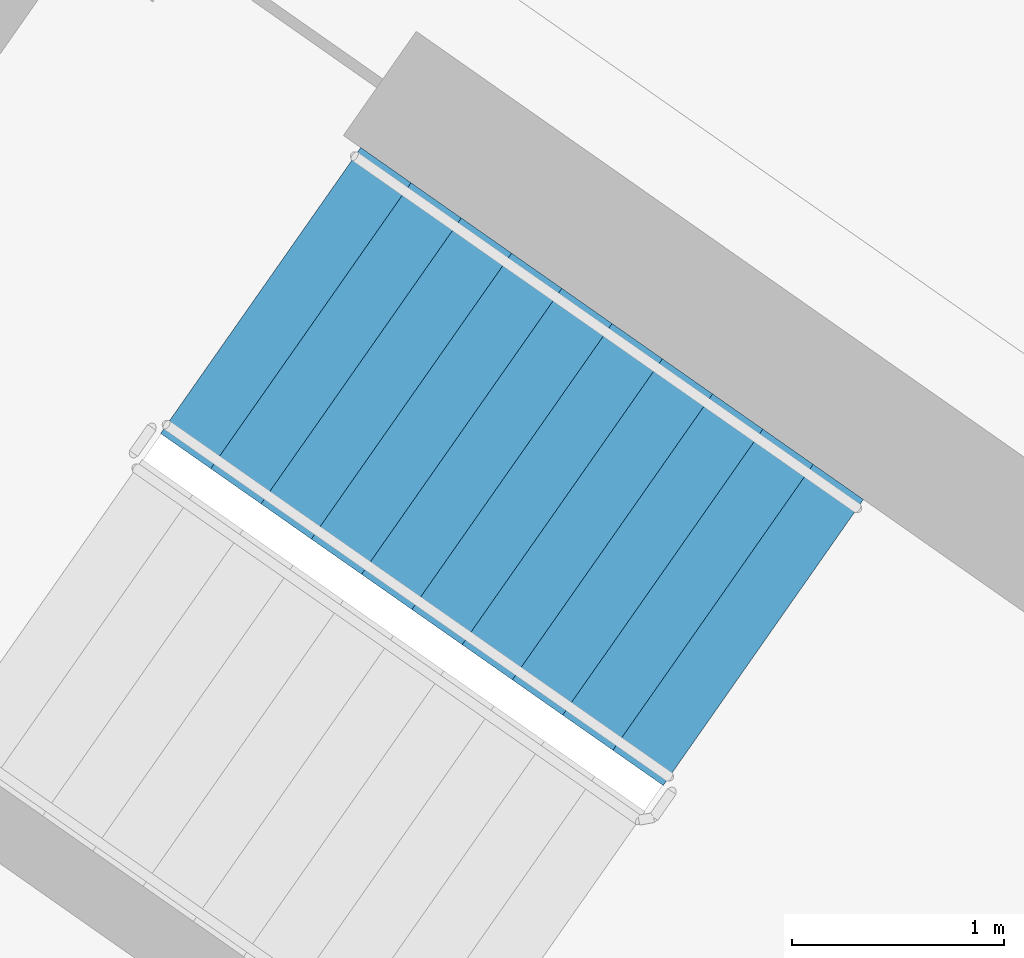
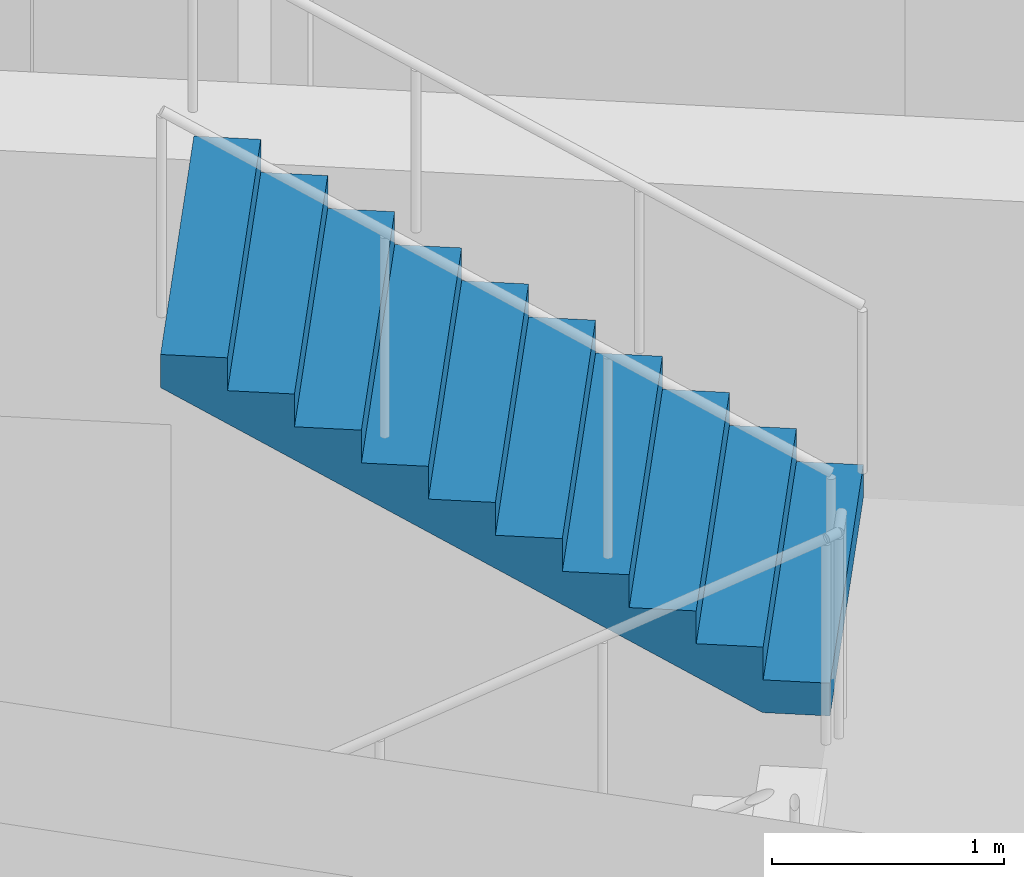
# One storey, part 13 of 28: 1 stair flight, 1 element without a shape of its own.
"""IFC4 building model written with IfcOpenShell, lengths in metres."""

from ifc_helpers import new_model, si_unit, direction, frame, origin, place, context, subcontext, project, spatial, faceted_brep, material, type_object, element, aggregate, save


model = new_model("IFC4")

# Units and contexts
model_context = context("Model", 3, precision=1e-05, world=origin(), true_north=direction((0.0, 1.0)))
body_context = subcontext(model_context, "Body", "Model", "MODEL_VIEW")
ifc_project = project(units=[si_unit("LENGTHUNIT", "METRE"), si_unit("AREAUNIT", "SQUARE_METRE"), si_unit("VOLUMEUNIT", "CUBIC_METRE"), si_unit("PLANEANGLEUNIT", "RADIAN"), si_unit("MASSUNIT", "GRAM", prefix="KILO")], contexts=[model_context])

# Site, building, storey
site_placement = place(None, origin())
site = spatial("IfcSite", under=ifc_project, at=site_placement, CompositionType="ELEMENT")
building_placement = place(site_placement, origin())
building = spatial("IfcBuilding", under=site, at=building_placement, Name="Qamariyya Broadcast Tower", CompositionType="ELEMENT")
storey_placement = place(building_placement, frame((0.0, 0.0, 273.300048828125)))
storey = spatial("IfcBuildingStorey", under=building, at=storey_placement, Name="L66", CompositionType="ELEMENT", Elevation=273.300048828125)

# Stair, stair flight
ifc_material = material(Name="Concrete C50/60", Category="concrete")
stair_type = type_object("IfcStairType", Name="Exit stair 22 risers of 173 mm", PredefinedType="HALF_TURN_STAIR", material=ifc_material)
stair_placement = place(storey_placement, origin())
stair = element("IfcStair", 1, at=stair_placement, inside=storey, type_object=stair_type, Name="L66 Stair W2", PredefinedType="HALF_TURN_STAIR")
stair_flight_type = type_object("IfcStairFlightType", Name="Exit stair flight 11 risers of 173 mm", PredefinedType="STRAIGHT", material=ifc_material)
stair_flight_placement = place(storey_placement, frame((-38.18310546875, -49.3486328125, 1.89990234375), z_axis=(0.0, 0.0, 1.0), x_axis=(-0.819152044289, 0.573576436351, 0.0)))
stair_flight = element("IfcStairFlight", 2, at=stair_flight_placement, type_object=stair_flight_type, Name="ST-W2 flight 2", NumberOfRisers=11, NumberOfTreads=10, PredefinedType="STRAIGHT", RiserHeight=0.172727273, TreadLength=0.29, context=body_context, shape_type="Brep", body=[
    faceted_brep([(0.0, 0.824951171875, 0.0), (0.0, 0.824951171875, 0.172607421875), (0.2900390625, 0.824951171875, 0.172607421875), (0.2900390625, 0.824951171875, 0.345458984375), (0.580078125, 0.824951171875, 0.345458984375), (0.580078125, 0.824951171875, 0.51806640625), (0.8701171875, 0.824951171875, 0.51806640625), (0.8701171875, 0.824951171875, 0.69091796875), (1.159912109375, 0.824951171875, 0.69091796875), (1.159912109375, 0.824951171875, 0.863525390625), (1.449951171875, 0.824951171875, 0.863525390625), (1.449951171875, 0.824951171875, 1.036376953125), (1.739990234375, 0.824951171875, 1.036376953125), (1.739990234375, 0.824951171875, 1.208984375), (2.030029296875, 0.824951171875, 1.208984375), (2.030029296875, 0.824951171875, 1.3818359375), (2.320068359375, 0.824951171875, 1.3818359375), (2.320068359375, 0.824951171875, 1.554443359375), (2.610107421875, 0.824951171875, 1.554443359375), (2.610107421875, 0.824951171875, 1.727294921875), (2.89990234375, 0.824951171875, 1.727294921875), (2.89990234375, 0.824951171875, 1.552734375), (0.29296875, 0.824951171875, 0.0), (0.29296875, -0.824951171875, 0.0), (2.89990234375, -0.824951171875, 1.552734375), (2.89990234375, -0.824951171875, 1.727294921875), (2.610107421875, -0.824951171875, 1.727294921875), (2.610107421875, -0.824951171875, 1.554443359375), (2.320068359375, -0.824951171875, 1.554443359375), (2.320068359375, -0.824951171875, 1.3818359375), (2.030029296875, -0.824951171875, 1.3818359375), (2.030029296875, -0.824951171875, 1.208984375), (1.739990234375, -0.824951171875, 1.208984375), (1.739990234375, -0.824951171875, 1.036376953125), (1.449951171875, -0.824951171875, 1.036376953125), (1.449951171875, -0.824951171875, 0.863525390625), (1.159912109375, -0.824951171875, 0.863525390625), (1.159912109375, -0.824951171875, 0.69091796875), (0.8701171875, -0.824951171875, 0.69091796875), (0.8701171875, -0.824951171875, 0.51806640625), (0.580078125, -0.824951171875, 0.51806640625), (0.580078125, -0.824951171875, 0.345458984375), (0.2900390625, -0.824951171875, 0.345458984375), (0.2900390625, -0.824951171875, 0.172607421875), (0.0, -0.824951171875, 0.172607421875), (0.0, -0.824951171875, 0.0), (0.0, 0.10009765625, 0.0), (0.0, 0.086669921875, 0.0), (0.0, 0.0732421875, 0.0), (0.0, 0.06005859375, 0.0), (0.0, 0.046630859375, 0.0), (0.0, 0.033447265625, 0.0), (0.0, 0.02001953125, 0.0), (0.0, 0.006591796875, 0.0), (0.0, -0.006591796875, 0.0), (0.0, -0.02001953125, 0.0), (0.0, -0.033447265625, 0.0), (0.0, -0.046630859375, 0.0), (0.0, -0.06005859375, 0.0), (0.0, -0.0732421875, 0.0), (0.0, -0.086669921875, 0.0), (0.0, -0.10009765625, 0.0), (0.0, -0.10009765625, 0.172607421875), (0.0, -0.086669921875, 0.172607421875), (0.0, -0.0732421875, 0.172607421875), (0.0, -0.06005859375, 0.172607421875), (0.0, -0.046630859375, 0.172607421875), (0.0, -0.033447265625, 0.172607421875), (0.0, -0.02001953125, 0.172607421875), (0.0, -0.006591796875, 0.172607421875), (0.0, 0.006591796875, 0.172607421875), (0.0, 0.02001953125, 0.172607421875), (0.0, 0.033447265625, 0.172607421875), (0.0, 0.046630859375, 0.172607421875), (0.0, 0.06005859375, 0.172607421875), (0.0, 0.0732421875, 0.172607421875), (0.0, 0.086669921875, 0.172607421875), (0.0, 0.10009765625, 0.172607421875), (0.2900390625, -0.10009765625, 0.172607421875), (0.2900390625, -0.086669921875, 0.172607421875), (0.2900390625, -0.0732421875, 0.172607421875), (0.2900390625, -0.06005859375, 0.172607421875), (0.2900390625, -0.046630859375, 0.172607421875), (0.2900390625, -0.033447265625, 0.172607421875), (0.2900390625, -0.02001953125, 0.172607421875), (0.2900390625, -0.006591796875, 0.172607421875), (0.2900390625, 0.006591796875, 0.172607421875), (0.2900390625, 0.02001953125, 0.172607421875), (0.2900390625, 0.033447265625, 0.172607421875), (0.2900390625, 0.046630859375, 0.172607421875), (0.2900390625, 0.06005859375, 0.172607421875), (0.2900390625, 0.0732421875, 0.172607421875), (0.2900390625, 0.086669921875, 0.172607421875), (0.2900390625, 0.10009765625, 0.172607421875), (0.2900390625, -0.10009765625, 0.345458984375), (0.2900390625, -0.086669921875, 0.345458984375), (0.2900390625, -0.0732421875, 0.345458984375), (0.2900390625, -0.06005859375, 0.345458984375), (0.2900390625, -0.046630859375, 0.345458984375), (0.2900390625, -0.033447265625, 0.345458984375), (0.2900390625, -0.02001953125, 0.345458984375), (0.2900390625, -0.006591796875, 0.345458984375), (0.2900390625, 0.006591796875, 0.345458984375), (0.2900390625, 0.02001953125, 0.345458984375), (0.2900390625, 0.033447265625, 0.345458984375), (0.2900390625, 0.046630859375, 0.345458984375), (0.2900390625, 0.06005859375, 0.345458984375), (0.2900390625, 0.0732421875, 0.345458984375), (0.2900390625, 0.086669921875, 0.345458984375), (0.2900390625, 0.10009765625, 0.345458984375), (0.580078125, -0.10009765625, 0.345458984375), (0.580078125, -0.086669921875, 0.345458984375), (0.580078125, -0.0732421875, 0.345458984375), (0.580078125, -0.06005859375, 0.345458984375), (0.580078125, -0.046630859375, 0.345458984375), (0.580078125, -0.033447265625, 0.345458984375), (0.580078125, -0.02001953125, 0.345458984375), (0.580078125, -0.006591796875, 0.345458984375), (0.580078125, 0.006591796875, 0.345458984375), (0.580078125, 0.02001953125, 0.345458984375), (0.580078125, 0.033447265625, 0.345458984375), (0.580078125, 0.046630859375, 0.345458984375), (0.580078125, 0.06005859375, 0.345458984375), (0.580078125, 0.0732421875, 0.345458984375), (0.580078125, 0.086669921875, 0.345458984375), (0.580078125, 0.10009765625, 0.345458984375), (0.580078125, -0.10009765625, 0.51806640625), (0.580078125, -0.086669921875, 0.51806640625), (0.580078125, -0.0732421875, 0.51806640625), (0.580078125, -0.06005859375, 0.51806640625), (0.580078125, -0.046630859375, 0.51806640625), (0.580078125, -0.033447265625, 0.51806640625), (0.580078125, -0.02001953125, 0.51806640625), (0.580078125, -0.006591796875, 0.51806640625), (0.580078125, 0.006591796875, 0.51806640625), (0.580078125, 0.02001953125, 0.51806640625), (0.580078125, 0.033447265625, 0.51806640625), (0.580078125, 0.046630859375, 0.51806640625), (0.580078125, 0.06005859375, 0.51806640625), (0.580078125, 0.0732421875, 0.51806640625), (0.580078125, 0.086669921875, 0.51806640625), (0.580078125, 0.10009765625, 0.51806640625), (0.8701171875, -0.10009765625, 0.51806640625), (0.8701171875, -0.086669921875, 0.51806640625), (0.8701171875, -0.0732421875, 0.51806640625), (0.8701171875, -0.06005859375, 0.51806640625), (0.8701171875, -0.046630859375, 0.51806640625), (0.8701171875, -0.033447265625, 0.51806640625), (0.8701171875, -0.02001953125, 0.51806640625), (0.8701171875, -0.006591796875, 0.51806640625), (0.8701171875, 0.006591796875, 0.51806640625), (0.8701171875, 0.02001953125, 0.51806640625), (0.8701171875, 0.033447265625, 0.51806640625), (0.8701171875, 0.046630859375, 0.51806640625), (0.8701171875, 0.06005859375, 0.51806640625), (0.8701171875, 0.0732421875, 0.51806640625), (0.8701171875, 0.086669921875, 0.51806640625), (0.8701171875, 0.10009765625, 0.51806640625), (0.8701171875, -0.10009765625, 0.69091796875), (0.8701171875, -0.086669921875, 0.69091796875), (0.8701171875, -0.0732421875, 0.69091796875), (0.8701171875, -0.06005859375, 0.69091796875), (0.8701171875, -0.046630859375, 0.69091796875), (0.8701171875, -0.033447265625, 0.69091796875), (0.8701171875, -0.02001953125, 0.69091796875), (0.8701171875, -0.006591796875, 0.69091796875), (0.8701171875, 0.006591796875, 0.69091796875), (0.8701171875, 0.02001953125, 0.69091796875), (0.8701171875, 0.033447265625, 0.69091796875), (0.8701171875, 0.046630859375, 0.69091796875), (0.8701171875, 0.06005859375, 0.69091796875), (0.8701171875, 0.0732421875, 0.69091796875), (0.8701171875, 0.086669921875, 0.69091796875), (0.8701171875, 0.10009765625, 0.69091796875), (1.159912109375, -0.10009765625, 0.69091796875), (1.159912109375, -0.086669921875, 0.69091796875), (1.159912109375, -0.0732421875, 0.69091796875), (1.159912109375, -0.06005859375, 0.69091796875), (1.159912109375, -0.046630859375, 0.69091796875), (1.159912109375, -0.033447265625, 0.69091796875), (1.159912109375, -0.02001953125, 0.69091796875), (1.159912109375, -0.006591796875, 0.69091796875), (1.159912109375, 0.006591796875, 0.69091796875), (1.159912109375, 0.02001953125, 0.69091796875), (1.159912109375, 0.033447265625, 0.69091796875), (1.159912109375, 0.046630859375, 0.69091796875), (1.159912109375, 0.06005859375, 0.69091796875), (1.159912109375, 0.0732421875, 0.69091796875), (1.159912109375, 0.086669921875, 0.69091796875), (1.159912109375, 0.10009765625, 0.69091796875), (1.159912109375, -0.10009765625, 0.863525390625), (1.159912109375, -0.086669921875, 0.863525390625), (1.159912109375, -0.0732421875, 0.863525390625), (1.159912109375, -0.06005859375, 0.863525390625), (1.159912109375, -0.046630859375, 0.863525390625), (1.159912109375, -0.033447265625, 0.863525390625), (1.159912109375, -0.02001953125, 0.863525390625), (1.159912109375, -0.006591796875, 0.863525390625), (1.159912109375, 0.006591796875, 0.863525390625), (1.159912109375, 0.02001953125, 0.863525390625), (1.159912109375, 0.033447265625, 0.863525390625), (1.159912109375, 0.046630859375, 0.863525390625), (1.159912109375, 0.06005859375, 0.863525390625), (1.159912109375, 0.0732421875, 0.863525390625), (1.159912109375, 0.086669921875, 0.863525390625), (1.159912109375, 0.10009765625, 0.863525390625), (1.449951171875, -0.10009765625, 0.863525390625), (1.449951171875, -0.086669921875, 0.863525390625), (1.449951171875, -0.0732421875, 0.863525390625), (1.449951171875, -0.06005859375, 0.863525390625), (1.449951171875, -0.046630859375, 0.863525390625), (1.449951171875, -0.033447265625, 0.863525390625), (1.449951171875, -0.02001953125, 0.863525390625), (1.449951171875, -0.006591796875, 0.863525390625), (1.449951171875, 0.006591796875, 0.863525390625), (1.449951171875, 0.02001953125, 0.863525390625), (1.449951171875, 0.033447265625, 0.863525390625), (1.449951171875, 0.046630859375, 0.863525390625), (1.449951171875, 0.06005859375, 0.863525390625), (1.449951171875, 0.0732421875, 0.863525390625), (1.449951171875, 0.086669921875, 0.863525390625), (1.449951171875, 0.10009765625, 0.863525390625), (1.449951171875, -0.10009765625, 1.036376953125), (1.449951171875, -0.086669921875, 1.036376953125), (1.449951171875, -0.0732421875, 1.036376953125), (1.449951171875, -0.06005859375, 1.036376953125), (1.449951171875, -0.046630859375, 1.036376953125), (1.449951171875, -0.033447265625, 1.036376953125), (1.449951171875, -0.02001953125, 1.036376953125), (1.449951171875, -0.006591796875, 1.036376953125), (1.449951171875, 0.006591796875, 1.036376953125), (1.449951171875, 0.02001953125, 1.036376953125), (1.449951171875, 0.033447265625, 1.036376953125), (1.449951171875, 0.046630859375, 1.036376953125), (1.449951171875, 0.06005859375, 1.036376953125), (1.449951171875, 0.0732421875, 1.036376953125), (1.449951171875, 0.086669921875, 1.036376953125), (1.449951171875, 0.10009765625, 1.036376953125), (1.739990234375, -0.10009765625, 1.036376953125), (1.739990234375, -0.086669921875, 1.036376953125), (1.739990234375, -0.0732421875, 1.036376953125), (1.739990234375, -0.06005859375, 1.036376953125), (1.739990234375, -0.046630859375, 1.036376953125), (1.739990234375, -0.033447265625, 1.036376953125), (1.739990234375, -0.02001953125, 1.036376953125), (1.739990234375, -0.006591796875, 1.036376953125), (1.739990234375, 0.006591796875, 1.036376953125), (1.739990234375, 0.02001953125, 1.036376953125), (1.739990234375, 0.033447265625, 1.036376953125), (1.739990234375, 0.046630859375, 1.036376953125), (1.739990234375, 0.06005859375, 1.036376953125), (1.739990234375, 0.0732421875, 1.036376953125), (1.739990234375, 0.086669921875, 1.036376953125), (1.739990234375, 0.10009765625, 1.036376953125), (1.739990234375, -0.10009765625, 1.208984375), (1.739990234375, -0.086669921875, 1.208984375), (1.739990234375, -0.0732421875, 1.208984375), (1.739990234375, -0.06005859375, 1.208984375), (1.739990234375, -0.046630859375, 1.208984375), (1.739990234375, -0.033447265625, 1.208984375), (1.739990234375, -0.02001953125, 1.208984375), (1.739990234375, -0.006591796875, 1.208984375), (1.739990234375, 0.006591796875, 1.208984375), (1.739990234375, 0.02001953125, 1.208984375), (1.739990234375, 0.033447265625, 1.208984375), (1.739990234375, 0.046630859375, 1.208984375), (1.739990234375, 0.06005859375, 1.208984375), (1.739990234375, 0.0732421875, 1.208984375), (1.739990234375, 0.086669921875, 1.208984375), (1.739990234375, 0.10009765625, 1.208984375), (2.030029296875, -0.10009765625, 1.208984375), (2.030029296875, -0.086669921875, 1.208984375), (2.030029296875, -0.0732421875, 1.208984375), (2.030029296875, -0.06005859375, 1.208984375), (2.030029296875, -0.046630859375, 1.208984375), (2.030029296875, -0.033447265625, 1.208984375), (2.030029296875, -0.02001953125, 1.208984375), (2.030029296875, -0.006591796875, 1.208984375), (2.030029296875, 0.006591796875, 1.208984375), (2.030029296875, 0.02001953125, 1.208984375), (2.030029296875, 0.033447265625, 1.208984375), (2.030029296875, 0.046630859375, 1.208984375), (2.030029296875, 0.06005859375, 1.208984375), (2.030029296875, 0.0732421875, 1.208984375), (2.030029296875, 0.086669921875, 1.208984375), (2.030029296875, 0.10009765625, 1.208984375), (2.030029296875, -0.10009765625, 1.3818359375), (2.030029296875, -0.086669921875, 1.3818359375), (2.030029296875, -0.0732421875, 1.3818359375), (2.030029296875, -0.06005859375, 1.3818359375), (2.030029296875, -0.046630859375, 1.3818359375), (2.030029296875, -0.033447265625, 1.3818359375), (2.030029296875, -0.02001953125, 1.3818359375), (2.030029296875, -0.006591796875, 1.3818359375), (2.030029296875, 0.006591796875, 1.3818359375), (2.030029296875, 0.02001953125, 1.3818359375), (2.030029296875, 0.033447265625, 1.3818359375), (2.030029296875, 0.046630859375, 1.3818359375), (2.030029296875, 0.06005859375, 1.3818359375), (2.030029296875, 0.0732421875, 1.3818359375), (2.030029296875, 0.086669921875, 1.3818359375), (2.030029296875, 0.10009765625, 1.3818359375), (2.320068359375, -0.10009765625, 1.3818359375), (2.320068359375, -0.086669921875, 1.3818359375), (2.320068359375, -0.0732421875, 1.3818359375), (2.320068359375, -0.06005859375, 1.3818359375), (2.320068359375, -0.046630859375, 1.3818359375), (2.320068359375, -0.033447265625, 1.3818359375), (2.320068359375, -0.02001953125, 1.3818359375), (2.320068359375, -0.006591796875, 1.3818359375), (2.320068359375, 0.006591796875, 1.3818359375), (2.320068359375, 0.02001953125, 1.3818359375), (2.320068359375, 0.033447265625, 1.3818359375), (2.320068359375, 0.046630859375, 1.3818359375), (2.320068359375, 0.06005859375, 1.3818359375), (2.320068359375, 0.0732421875, 1.3818359375), (2.320068359375, 0.086669921875, 1.3818359375), (2.320068359375, 0.10009765625, 1.3818359375), (2.320068359375, -0.10009765625, 1.554443359375), (2.320068359375, -0.086669921875, 1.554443359375), (2.320068359375, -0.0732421875, 1.554443359375), (2.320068359375, -0.06005859375, 1.554443359375), (2.320068359375, -0.046630859375, 1.554443359375), (2.320068359375, -0.033447265625, 1.554443359375), (2.320068359375, -0.02001953125, 1.554443359375), (2.320068359375, -0.006591796875, 1.554443359375), (2.320068359375, 0.006591796875, 1.554443359375), (2.320068359375, 0.02001953125, 1.554443359375), (2.320068359375, 0.033447265625, 1.554443359375), (2.320068359375, 0.046630859375, 1.554443359375), (2.320068359375, 0.06005859375, 1.554443359375), (2.320068359375, 0.0732421875, 1.554443359375), (2.320068359375, 0.086669921875, 1.554443359375), (2.320068359375, 0.10009765625, 1.554443359375), (2.610107421875, -0.10009765625, 1.554443359375), (2.610107421875, -0.086669921875, 1.554443359375), (2.610107421875, -0.0732421875, 1.554443359375), (2.610107421875, -0.06005859375, 1.554443359375), (2.610107421875, -0.046630859375, 1.554443359375), (2.610107421875, -0.033447265625, 1.554443359375), (2.610107421875, -0.02001953125, 1.554443359375), (2.610107421875, -0.006591796875, 1.554443359375), (2.610107421875, 0.006591796875, 1.554443359375), (2.610107421875, 0.02001953125, 1.554443359375), (2.610107421875, 0.033447265625, 1.554443359375), (2.610107421875, 0.046630859375, 1.554443359375), (2.610107421875, 0.06005859375, 1.554443359375), (2.610107421875, 0.0732421875, 1.554443359375), (2.610107421875, 0.086669921875, 1.554443359375), (2.610107421875, 0.10009765625, 1.554443359375), (2.610107421875, -0.10009765625, 1.727294921875), (2.610107421875, -0.086669921875, 1.727294921875), (2.610107421875, -0.0732421875, 1.727294921875), (2.610107421875, -0.06005859375, 1.727294921875), (2.610107421875, -0.046630859375, 1.727294921875), (2.610107421875, -0.033447265625, 1.727294921875), (2.610107421875, -0.02001953125, 1.727294921875), (2.610107421875, -0.006591796875, 1.727294921875), (2.610107421875, 0.006591796875, 1.727294921875), (2.610107421875, 0.02001953125, 1.727294921875), (2.610107421875, 0.033447265625, 1.727294921875), (2.610107421875, 0.046630859375, 1.727294921875), (2.610107421875, 0.06005859375, 1.727294921875), (2.610107421875, 0.0732421875, 1.727294921875), (2.610107421875, 0.086669921875, 1.727294921875), (2.610107421875, 0.10009765625, 1.727294921875), (2.89990234375, -0.10009765625, 1.727294921875), (2.89990234375, -0.086669921875, 1.727294921875), (2.89990234375, -0.0732421875, 1.727294921875), (2.89990234375, -0.06005859375, 1.727294921875), (2.89990234375, -0.046630859375, 1.727294921875), (2.89990234375, -0.033447265625, 1.727294921875), (2.89990234375, -0.02001953125, 1.727294921875), (2.89990234375, -0.006591796875, 1.727294921875), (2.89990234375, 0.006591796875, 1.727294921875), (2.89990234375, 0.02001953125, 1.727294921875), (2.89990234375, 0.033447265625, 1.727294921875), (2.89990234375, 0.046630859375, 1.727294921875), (2.89990234375, 0.06005859375, 1.727294921875), (2.89990234375, 0.0732421875, 1.727294921875), (2.89990234375, 0.086669921875, 1.727294921875), (2.89990234375, 0.10009765625, 1.727294921875), (2.89990234375, -0.10009765625, 1.552734375), (2.89990234375, -0.086669921875, 1.552734375), (2.89990234375, -0.0732421875, 1.552734375), (2.89990234375, -0.06005859375, 1.552734375), (2.89990234375, -0.046630859375, 1.552734375), (2.89990234375, -0.033447265625, 1.552734375), (2.89990234375, -0.02001953125, 1.552734375), (2.89990234375, -0.006591796875, 1.552734375), (2.89990234375, 0.006591796875, 1.552734375), (2.89990234375, 0.02001953125, 1.552734375), (2.89990234375, 0.033447265625, 1.552734375), (2.89990234375, 0.046630859375, 1.552734375), (2.89990234375, 0.06005859375, 1.552734375), (2.89990234375, 0.0732421875, 1.552734375), (2.89990234375, 0.086669921875, 1.552734375), (2.89990234375, 0.10009765625, 1.552734375), (0.29296875, -0.10009765625, 0.0), (0.29296875, -0.086669921875, 0.0), (0.29296875, -0.0732421875, 0.0), (0.29296875, -0.06005859375, 0.0), (0.29296875, -0.046630859375, 0.0), (0.29296875, -0.033447265625, 0.0), (0.29296875, -0.02001953125, 0.0), (0.29296875, -0.006591796875, 0.0), (0.29296875, 0.006591796875, 0.0), (0.29296875, 0.02001953125, 0.0), (0.29296875, 0.033447265625, 0.0), (0.29296875, 0.046630859375, 0.0), (0.29296875, 0.06005859375, 0.0), (0.29296875, 0.0732421875, 0.0), (0.29296875, 0.086669921875, 0.0), (0.29296875, 0.10009765625, 0.0)], [[[0, 1, 2, 3, 4, 5, 6, 7, 8, 9, 10, 11, 12, 13, 14, 15, 16, 17, 18, 19, 20, 21, 22]], [[23, 24, 25, 26, 27, 28, 29, 30, 31, 32, 33, 34, 35, 36, 37, 38, 39, 40, 41, 42, 43, 44, 45]], [[0, 46, 47, 48, 49, 50, 51, 52, 53, 54, 55, 56, 57, 58, 59, 60, 61, 45, 44, 62, 63, 64, 65, 66, 67, 68, 69, 70, 71, 72, 73, 74, 75, 76, 77, 1]], [[1, 77, 76, 75, 74, 73, 72, 71, 70, 69, 68, 67, 66, 65, 64, 63, 62, 44, 43, 78, 79, 80, 81, 82, 83, 84, 85, 86, 87, 88, 89, 90, 91, 92, 93, 2]], [[2, 93, 92, 91, 90, 89, 88, 87, 86, 85, 84, 83, 82, 81, 80, 79, 78, 43, 42, 94, 95, 96, 97, 98, 99, 100, 101, 102, 103, 104, 105, 106, 107, 108, 109, 3]], [[3, 109, 108, 107, 106, 105, 104, 103, 102, 101, 100, 99, 98, 97, 96, 95, 94, 42, 41, 110, 111, 112, 113, 114, 115, 116, 117, 118, 119, 120, 121, 122, 123, 124, 125, 4]], [[4, 125, 124, 123, 122, 121, 120, 119, 118, 117, 116, 115, 114, 113, 112, 111, 110, 41, 40, 126, 127, 128, 129, 130, 131, 132, 133, 134, 135, 136, 137, 138, 139, 140, 141, 5]], [[5, 141, 140, 139, 138, 137, 136, 135, 134, 133, 132, 131, 130, 129, 128, 127, 126, 40, 39, 142, 143, 144, 145, 146, 147, 148, 149, 150, 151, 152, 153, 154, 155, 156, 157, 6]], [[6, 157, 156, 155, 154, 153, 152, 151, 150, 149, 148, 147, 146, 145, 144, 143, 142, 39, 38, 158, 159, 160, 161, 162, 163, 164, 165, 166, 167, 168, 169, 170, 171, 172, 173, 7]], [[7, 173, 172, 171, 170, 169, 168, 167, 166, 165, 164, 163, 162, 161, 160, 159, 158, 38, 37, 174, 175, 176, 177, 178, 179, 180, 181, 182, 183, 184, 185, 186, 187, 188, 189, 8]], [[8, 189, 188, 187, 186, 185, 184, 183, 182, 181, 180, 179, 178, 177, 176, 175, 174, 37, 36, 190, 191, 192, 193, 194, 195, 196, 197, 198, 199, 200, 201, 202, 203, 204, 205, 9]], [[9, 205, 204, 203, 202, 201, 200, 199, 198, 197, 196, 195, 194, 193, 192, 191, 190, 36, 35, 206, 207, 208, 209, 210, 211, 212, 213, 214, 215, 216, 217, 218, 219, 220, 221, 10]], [[10, 221, 220, 219, 218, 217, 216, 215, 214, 213, 212, 211, 210, 209, 208, 207, 206, 35, 34, 222, 223, 224, 225, 226, 227, 228, 229, 230, 231, 232, 233, 234, 235, 236, 237, 11]], [[11, 237, 236, 235, 234, 233, 232, 231, 230, 229, 228, 227, 226, 225, 224, 223, 222, 34, 33, 238, 239, 240, 241, 242, 243, 244, 245, 246, 247, 248, 249, 250, 251, 252, 253, 12]], [[12, 253, 252, 251, 250, 249, 248, 247, 246, 245, 244, 243, 242, 241, 240, 239, 238, 33, 32, 254, 255, 256, 257, 258, 259, 260, 261, 262, 263, 264, 265, 266, 267, 268, 269, 13]], [[13, 269, 268, 267, 266, 265, 264, 263, 262, 261, 260, 259, 258, 257, 256, 255, 254, 32, 31, 270, 271, 272, 273, 274, 275, 276, 277, 278, 279, 280, 281, 282, 283, 284, 285, 14]], [[14, 285, 284, 283, 282, 281, 280, 279, 278, 277, 276, 275, 274, 273, 272, 271, 270, 31, 30, 286, 287, 288, 289, 290, 291, 292, 293, 294, 295, 296, 297, 298, 299, 300, 301, 15]], [[15, 301, 300, 299, 298, 297, 296, 295, 294, 293, 292, 291, 290, 289, 288, 287, 286, 30, 29, 302, 303, 304, 305, 306, 307, 308, 309, 310, 311, 312, 313, 314, 315, 316, 317, 16]], [[16, 317, 316, 315, 314, 313, 312, 311, 310, 309, 308, 307, 306, 305, 304, 303, 302, 29, 28, 318, 319, 320, 321, 322, 323, 324, 325, 326, 327, 328, 329, 330, 331, 332, 333, 17]], [[17, 333, 332, 331, 330, 329, 328, 327, 326, 325, 324, 323, 322, 321, 320, 319, 318, 28, 27, 334, 335, 336, 337, 338, 339, 340, 341, 342, 343, 344, 345, 346, 347, 348, 349, 18]], [[18, 349, 348, 347, 346, 345, 344, 343, 342, 341, 340, 339, 338, 337, 336, 335, 334, 27, 26, 350, 351, 352, 353, 354, 355, 356, 357, 358, 359, 360, 361, 362, 363, 364, 365, 19]], [[19, 365, 364, 363, 362, 361, 360, 359, 358, 357, 356, 355, 354, 353, 352, 351, 350, 26, 25, 366, 367, 368, 369, 370, 371, 372, 373, 374, 375, 376, 377, 378, 379, 380, 381, 20]], [[20, 381, 380, 379, 378, 377, 376, 375, 374, 373, 372, 371, 370, 369, 368, 367, 366, 25, 24, 382, 383, 384, 385, 386, 387, 388, 389, 390, 391, 392, 393, 394, 395, 396, 397, 21]], [[21, 397, 396, 395, 394, 393, 392, 391, 390, 389, 388, 387, 386, 385, 384, 383, 382, 24, 23, 398, 399, 400, 401, 402, 403, 404, 405, 406, 407, 408, 409, 410, 411, 412, 413, 22]], [[22, 413, 412, 411, 410, 409, 408, 407, 406, 405, 404, 403, 402, 401, 400, 399, 398, 23, 45, 61, 60, 59, 58, 57, 56, 55, 54, 53, 52, 51, 50, 49, 48, 47, 46, 0]]]),
])
aggregate(stair, [stair_flight])

save(model, "model.ifc")
